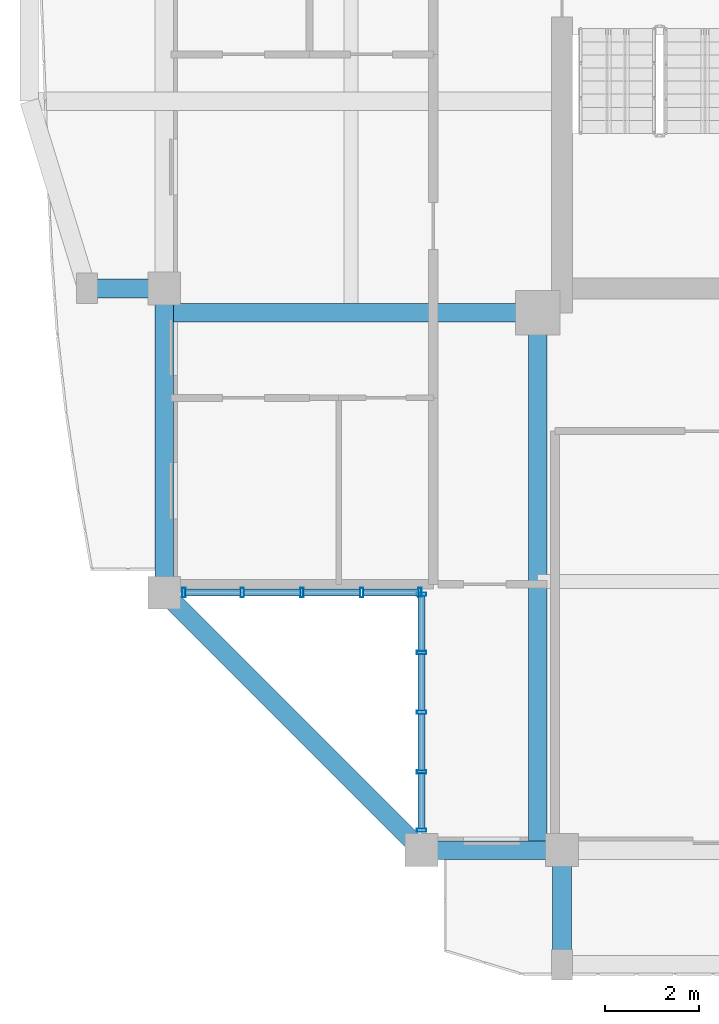
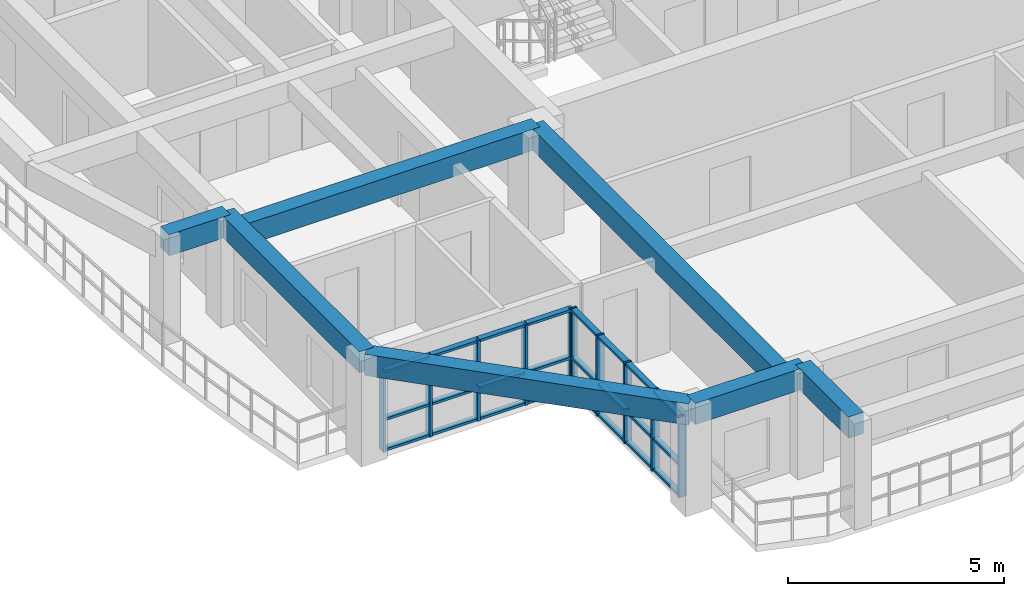
# One storey, part 2 of 24: 34 members, 7 beams, 2 elements without a shape of their own.
"""IFC4 building model written with IfcOpenShell, lengths in metres."""

from ifc_helpers import new_model, si_unit, direction, frame, origin, origin_2d, place, context, subcontext, project, spatial, rectangle, hollow_rectangle, extrude, source, transform, mapped, material, layer, layer_set, material_profile, profile_set, type_object, element, aggregate, save


model = new_model("IFC4")

# Units and contexts
model_context = context("Model", 3, precision=1e-05, world=origin(), true_north=direction((0.0, 1.0)))
body_context = subcontext(model_context, "Body", "Model", "MODEL_VIEW")
ifc_project = project(units=[si_unit("LENGTHUNIT", "METRE"), si_unit("AREAUNIT", "SQUARE_METRE"), si_unit("VOLUMEUNIT", "CUBIC_METRE"), si_unit("PLANEANGLEUNIT", "RADIAN"), si_unit("MASSUNIT", "GRAM", prefix="KILO")], contexts=[model_context])

# Site, building, storey
site_placement = place(None, origin())
site = spatial("IfcSite", under=ifc_project, at=site_placement, CompositionType="ELEMENT")
building_placement = place(site_placement, origin())
building = spatial("IfcBuilding", under=site, at=building_placement, Name="Saelheon Loggia Tower", CompositionType="ELEMENT")
storey_placement = place(building_placement, frame((0.0, 0.0, 246.0)))
storey = spatial("IfcBuildingStorey", under=building, at=storey_placement, Name="L76", CompositionType="ELEMENT", Elevation=246.0)

# Beams
ifc_material_1 = material(Name="Precast Concrete C45/55", Category="concrete")
ifc_material_profile_1 = material_profile(ifc_material_1, rectangle(XDim=0.39990234375, YDim=0.60009765625, at=origin_2d()), Name="RC-400x600")
ifc_profile_set_1 = profile_set([ifc_material_profile_1], Name="Precast Concrete C45/55")
beam_type_1 = type_object("IfcBeamType", Name="Beam_LoggiaTie_RC400x600", PredefinedType="BEAM", material=ifc_profile_set_1)
shared_shape_1 = source(origin(), body_context, "Body", "SweptSolid", [
    extrude(rectangle(XDim=0.39990234375, YDim=0.60009765625, at=origin_2d()), origin(), (0.0, 0.0, 1.0), 2.449951171875),
])
beam_1_placement = place(storey_placement, frame((31.5, 6.0, 2.699951171875), z_axis=(0.0, -1.0, 0.0), x_axis=(1.0, 0.0, 0.0)))
element("IfcBeam", 1, at=beam_1_placement, inside=storey, type_object=beam_type_1, Name="L76 Loggia Frame Tie Beam LP-S1", PredefinedType="BEAM", context=body_context, shape_type="MappedRepresentation", body=[
    mapped(shared_shape_1, transform((0.0, 0.0, 0.0), scale=1.0)),
])
shared_shape_2 = source(origin(), body_context, "Body", "SweptSolid", [
    extrude(rectangle(XDim=0.39990234375, YDim=0.60009765625, at=origin_2d()), origin(), (0.0, 0.0, 1.0), 1.64990234375),
])
beam_2_placement = place(storey_placement, frame((23.0, 18.0, 2.699951171875), z_axis=(-1.0, 0.0, 0.0), x_axis=(0.0, -1.0, 0.0)))
element("IfcBeam", 2, at=beam_2_placement, inside=storey, type_object=beam_type_1, Name="L76 Loggia Frame Tie Beam LP-W1", PredefinedType="BEAM", context=body_context, shape_type="MappedRepresentation", body=[
    mapped(shared_shape_2, transform((0.0, 0.0, 0.0), scale=1.0)),
])
ifc_material_2 = material(Name="Concrete C40/50", Category="concrete")
ifc_material_profile_2 = material_profile(ifc_material_2, rectangle(XDim=0.39990234375, YDim=0.60009765625, at=origin_2d()), Name="RC-400x600")
ifc_profile_set_2 = profile_set([ifc_material_profile_2], Name="Concrete C40/50")
beam_type_2 = type_object("IfcBeamType", Name="Beam_UpperGirder_RC400x600", PredefinedType="BEAM", material=ifc_profile_set_2)
shared_shape_3 = source(origin(), body_context, "Body", "SweptSolid", [
    extrude(rectangle(XDim=0.39990234375, YDim=0.60009765625, at=origin_2d()), origin(), (0.0, 0.0, 1.0), 11.47998046875),
])
beam_3_placement = place(storey_placement, frame((30.97998046875, 17.47998046875, 2.699951171875), z_axis=(0.0, -1.0, 0.0), x_axis=(1.0, 0.0, 0.0)))
element("IfcBeam", 3, at=beam_3_placement, inside=storey, type_object=beam_type_2, Name="L76 Radial Floor Girder RAD-SW-S", PredefinedType="BEAM", context=body_context, shape_type="MappedRepresentation", body=[
    mapped(shared_shape_3, transform((0.0, 0.0, 0.0), scale=1.0)),
])
ifc_material_profile_3 = material_profile(ifc_material_2, rectangle(XDim=0.39990234375, YDim=0.60009765625, at=origin_2d()), Name="RC-400x600")
ifc_profile_set_3 = profile_set([ifc_material_profile_3], Name="Concrete C40/50")
beam_type_3 = type_object("IfcBeamType", Name="Beam_PerimUpper_RC400x600", PredefinedType="BEAM", material=ifc_profile_set_3)
shared_shape_4 = source(origin(), body_context, "Body", "SweptSolid", [
    extrude(rectangle(XDim=0.39990234375, YDim=0.60009765625, at=origin_2d()), origin(), (0.0, 0.0, 1.0), 6.5),
])
beam_4_placement = place(storey_placement, frame((23.0, 18.0, 2.699951171875), z_axis=(0.0, -1.0, 0.0), x_axis=(1.0, 0.0, 0.0)))
element("IfcBeam", 4, at=beam_4_placement, inside=storey, type_object=beam_type_3, Name="L76 Perimeter Frame Girder 15", PredefinedType="BEAM", context=body_context, shape_type="MappedRepresentation", body=[
    mapped(shared_shape_4, transform((0.0, 0.0, 0.0), scale=1.0)),
])
shared_shape_5 = source(origin(), body_context, "Body", "SweptSolid", [
    extrude(rectangle(XDim=0.39990234375, YDim=0.60009765625, at=origin_2d()), origin(), (0.0, 0.0, 1.0), 7.778076171875),
])
beam_5_placement = place(storey_placement, frame((23.0, 11.5, 2.699951171875), z_axis=(0.707106781187, -0.707106781187, 0.0), x_axis=(0.707106781187, 0.707106781187, 0.0)))
element("IfcBeam", 5, at=beam_5_placement, inside=storey, type_object=beam_type_3, Name="L76 Perimeter Frame Girder 16", PredefinedType="BEAM", context=body_context, shape_type="MappedRepresentation", body=[
    mapped(shared_shape_5, transform((0.0, 0.0, 0.0), scale=1.0)),
])
shared_shape_6 = source(origin(), body_context, "Body", "SweptSolid", [
    extrude(rectangle(XDim=0.39990234375, YDim=0.60009765625, at=origin_2d()), origin(), (0.0, 0.0, 1.0), 3.0),
])
beam_6_placement = place(storey_placement, frame((28.5, 6.0, 2.699951171875), z_axis=(1.0, 0.0, 0.0), x_axis=(0.0, 1.0, 0.0)))
element("IfcBeam", 6, at=beam_6_placement, inside=storey, type_object=beam_type_3, Name="L76 Perimeter Frame Girder 01", PredefinedType="BEAM", context=body_context, shape_type="MappedRepresentation", body=[
    mapped(shared_shape_6, transform((0.0, 0.0, 0.0), scale=1.0)),
])
shared_shape_7 = source(origin(), body_context, "Body", "SweptSolid", [
    extrude(rectangle(XDim=0.39990234375, YDim=0.60009765625, at=origin_2d()), origin(), (0.0, 0.0, 1.0), 7.97998046875),
])
beam_7_placement = place(storey_placement, frame((30.97998046875, 17.47998046875, 2.699951171875), z_axis=(-1.0, 0.0, 0.0), x_axis=(0.0, -1.0, 0.0)))
element("IfcBeam", 7, at=beam_7_placement, inside=storey, type_object=beam_type_2, Name="L76 Radial Floor Girder RAD-SW-W", PredefinedType="BEAM", context=body_context, shape_type="MappedRepresentation", body=[
    mapped(shared_shape_7, transform((0.0, 0.0, 0.0), scale=1.0)),
])

# Curtain wall, members
ifc_material_3 = material(Name="High-Wind Aluminium and Triple Laminated Glass", Category="aluminium")
ifc_layer = layer(ifc_material_3, 0.179931640625)
ifc_layer_set = layer_set([ifc_layer], Name="High-Wind Aluminium and Triple Laminated Glass")
curtain_wall_type = type_object("IfcCurtainWallType", Name="CW_TowerLoggiaHigh", PredefinedType="NOTDEFINED", material=ifc_layer_set)
curtain_wall_1_placement = place(storey_placement, origin())
curtain_wall_1 = element("IfcCurtainWall", 8, at=curtain_wall_1_placement, inside=storey, type_object=curtain_wall_type, Name="L76 Corner Notch Glazing SW1", PredefinedType="NOTDEFINED")
ifc_material_4 = material(Name="Anodised Aluminium 6063-T6", Category="aluminium")
ifc_material_profile_4 = material_profile(ifc_material_4, hollow_rectangle(XDim=0.070068359375, YDim=0.199951171875, WallThickness=0.0048828125, at=origin_2d()), Name="RHS-200x70x5")
ifc_profile_set_4 = profile_set([ifc_material_profile_4], Name="Anodised Aluminium 6063-T6")
member_type_1 = type_object("IfcMemberType", Name="CW_TowerLoggiaHigh_Mullion", PredefinedType="MULLION", material=ifc_profile_set_4)
shared_shape_8 = source(origin(), body_context, "Body", "SweptSolid", [
    extrude(hollow_rectangle(XDim=0.070068359375, YDim=0.199951171875, WallThickness=0.0048828125, at=origin_2d()), origin(), (0.0, 0.0, 1.0), 2.280029296875),
])
member_1_placement = place(storey_placement, frame((28.5, 6.425048828125, 0.0), z_axis=(0.0, 0.0, 1.0), x_axis=(0.0, 1.0, 0.0)))
member_1 = element("IfcMember", 9, at=member_1_placement, type_object=member_type_1, Name="CW4 mullion 1", PredefinedType="MULLION", context=body_context, shape_type="MappedRepresentation", body=[
    mapped(shared_shape_8, transform((0.0, 0.0, 0.0), scale=1.0)),
])
member_2_placement = place(storey_placement, frame((28.5, 7.66748046875, 0.0), z_axis=(0.0, 0.0, 1.0), x_axis=(0.0, 1.0, 0.0)))
member_2 = element("IfcMember", 10, at=member_2_placement, type_object=member_type_1, Name="CW4 mullion 2", PredefinedType="MULLION", context=body_context, shape_type="MappedRepresentation", body=[
    mapped(shared_shape_8, transform((0.0, 0.0, 0.0), scale=1.0)),
])
member_3_placement = place(storey_placement, frame((28.5, 8.945068359375, 0.0), z_axis=(0.0, 0.0, 1.0), x_axis=(0.0, 1.0, 0.0)))
member_3 = element("IfcMember", 11, at=member_3_placement, type_object=member_type_1, Name="CW4 mullion 3", PredefinedType="MULLION", context=body_context, shape_type="MappedRepresentation", body=[
    mapped(shared_shape_8, transform((0.0, 0.0, 0.0), scale=1.0)),
])
member_4_placement = place(storey_placement, frame((28.5, 10.222412109375, 0.0), z_axis=(0.0, 0.0, 1.0), x_axis=(0.0, 1.0, 0.0)))
member_4 = element("IfcMember", 12, at=member_4_placement, type_object=member_type_1, Name="CW4 mullion 4", PredefinedType="MULLION", context=body_context, shape_type="MappedRepresentation", body=[
    mapped(shared_shape_8, transform((0.0, 0.0, 0.0), scale=1.0)),
])
member_5_placement = place(storey_placement, frame((28.5, 11.465087890625, 0.0), z_axis=(0.0, 0.0, 1.0), x_axis=(0.0, 1.0, 0.0)))
member_5 = element("IfcMember", 13, at=member_5_placement, type_object=member_type_1, Name="CW4 mullion 5", PredefinedType="MULLION", context=body_context, shape_type="MappedRepresentation", body=[
    mapped(shared_shape_8, transform((0.0, 0.0, 0.0), scale=1.0)),
])

curtain_wall_2_placement = place(storey_placement, origin())
curtain_wall_2 = element("IfcCurtainWall", 14, at=curtain_wall_2_placement, inside=storey, type_object=curtain_wall_type, Name="L76 Corner Notch Glazing SW2", PredefinedType="NOTDEFINED")
member_6_placement = place(storey_placement, frame((23.425048828125, 11.5, 0.0), z_axis=(0.0, 0.0, 1.0), x_axis=(1.0, 0.0, 0.0)))
member_6 = element("IfcMember", 15, at=member_6_placement, type_object=member_type_1, Name="CW4 mullion 1", PredefinedType="MULLION", context=body_context, shape_type="MappedRepresentation", body=[
    mapped(shared_shape_8, transform((0.0, 0.0, 0.0), scale=1.0)),
])
member_7_placement = place(storey_placement, frame((24.66748046875, 11.5, 0.0), z_axis=(0.0, 0.0, 1.0), x_axis=(1.0, 0.0, 0.0)))
member_7 = element("IfcMember", 16, at=member_7_placement, type_object=member_type_1, Name="CW4 mullion 2", PredefinedType="MULLION", context=body_context, shape_type="MappedRepresentation", body=[
    mapped(shared_shape_8, transform((0.0, 0.0, 0.0), scale=1.0)),
])
member_8_placement = place(storey_placement, frame((25.945068359375, 11.5, 0.0), z_axis=(0.0, 0.0, 1.0), x_axis=(1.0, 0.0, 0.0)))
member_8 = element("IfcMember", 17, at=member_8_placement, type_object=member_type_1, Name="CW4 mullion 3", PredefinedType="MULLION", context=body_context, shape_type="MappedRepresentation", body=[
    mapped(shared_shape_8, transform((0.0, 0.0, 0.0), scale=1.0)),
])
member_9_placement = place(storey_placement, frame((27.222412109375, 11.5, 0.0), z_axis=(0.0, 0.0, 1.0), x_axis=(1.0, 0.0, 0.0)))
member_9 = element("IfcMember", 18, at=member_9_placement, type_object=member_type_1, Name="CW4 mullion 4", PredefinedType="MULLION", context=body_context, shape_type="MappedRepresentation", body=[
    mapped(shared_shape_8, transform((0.0, 0.0, 0.0), scale=1.0)),
])
member_10_placement = place(storey_placement, frame((28.465087890625, 11.5, 0.0), z_axis=(0.0, 0.0, 1.0), x_axis=(1.0, 0.0, 0.0)))
member_10 = element("IfcMember", 19, at=member_10_placement, type_object=member_type_1, Name="CW4 mullion 5", PredefinedType="MULLION", context=body_context, shape_type="MappedRepresentation", body=[
    mapped(shared_shape_8, transform((0.0, 0.0, 0.0), scale=1.0)),
])

# Member
ifc_material_profile_5 = material_profile(ifc_material_4, hollow_rectangle(XDim=0.070068359375, YDim=0.14990234375, WallThickness=0.0048828125, at=origin_2d()), Name="RHS-150x70x5")
ifc_profile_set_5 = profile_set([ifc_material_profile_5], Name="Anodised Aluminium 6063-T6")
member_type_2 = type_object("IfcMemberType", Name="CW_TowerLoggiaHigh_Transom", PredefinedType="USERDEFINED", material=ifc_profile_set_5)
shared_shape_9 = source(origin(), body_context, "Body", "SweptSolid", [
    extrude(hollow_rectangle(XDim=0.070068359375, YDim=0.14990234375, WallThickness=0.0048828125, at=origin_2d()), origin(), (0.0, 0.0, 1.0), 1.172607421875),
])
member_11_placement = place(storey_placement, frame((28.5, 6.4599609375, 0.034912109375), z_axis=(0.0, 1.0, 0.0), x_axis=(0.0, 0.0, 1.0)))
member_11 = element("IfcMember", 20, at=member_11_placement, type_object=member_type_2, Name="CW4 transom 1.1", ObjectType="TRANSOM", PredefinedType="USERDEFINED", context=body_context, shape_type="MappedRepresentation", body=[
    mapped(shared_shape_9, transform((0.0, 0.0, 0.0), scale=1.0)),
])

member_12_placement = place(storey_placement, frame((28.5, 6.4599609375, 0.89990234375), z_axis=(0.0, 1.0, 0.0), x_axis=(0.0, 0.0, 1.0)))
member_12 = element("IfcMember", 21, at=member_12_placement, type_object=member_type_2, Name="CW4 transom 1.2", ObjectType="TRANSOM", PredefinedType="USERDEFINED", context=body_context, shape_type="MappedRepresentation", body=[
    mapped(shared_shape_9, transform((0.0, 0.0, 0.0), scale=1.0)),
])

member_13_placement = place(storey_placement, frame((28.5, 6.4599609375, 2.2451171875), z_axis=(0.0, 1.0, 0.0), x_axis=(0.0, 0.0, 1.0)))
member_13 = element("IfcMember", 22, at=member_13_placement, type_object=member_type_2, Name="CW4 transom 1.3", ObjectType="TRANSOM", PredefinedType="USERDEFINED", context=body_context, shape_type="MappedRepresentation", body=[
    mapped(shared_shape_9, transform((0.0, 0.0, 0.0), scale=1.0)),
])

member_14_placement = place(storey_placement, frame((23.4599609375, 11.5, 0.034912109375), z_axis=(1.0, 0.0, 0.0), x_axis=(0.0, 0.0, 1.0)))
member_14 = element("IfcMember", 23, at=member_14_placement, type_object=member_type_2, Name="CW4 transom 1.1", ObjectType="TRANSOM", PredefinedType="USERDEFINED", context=body_context, shape_type="MappedRepresentation", body=[
    mapped(shared_shape_9, transform((0.0, 0.0, 0.0), scale=1.0)),
])

member_15_placement = place(storey_placement, frame((23.4599609375, 11.5, 0.89990234375), z_axis=(1.0, 0.0, 0.0), x_axis=(0.0, 0.0, 1.0)))
member_15 = element("IfcMember", 24, at=member_15_placement, type_object=member_type_2, Name="CW4 transom 1.2", ObjectType="TRANSOM", PredefinedType="USERDEFINED", context=body_context, shape_type="MappedRepresentation", body=[
    mapped(shared_shape_9, transform((0.0, 0.0, 0.0), scale=1.0)),
])

member_16_placement = place(storey_placement, frame((23.4599609375, 11.5, 2.2451171875), z_axis=(1.0, 0.0, 0.0), x_axis=(0.0, 0.0, 1.0)))
member_16 = element("IfcMember", 25, at=member_16_placement, type_object=member_type_2, Name="CW4 transom 1.3", ObjectType="TRANSOM", PredefinedType="USERDEFINED", context=body_context, shape_type="MappedRepresentation", body=[
    mapped(shared_shape_9, transform((0.0, 0.0, 0.0), scale=1.0)),
])

shared_shape_10 = source(origin(), body_context, "Body", "SweptSolid", [
    extrude(hollow_rectangle(XDim=0.070068359375, YDim=0.14990234375, WallThickness=0.0048828125, at=origin_2d()), origin(), (0.0, 0.0, 1.0), 1.20751953125),
])
member_17_placement = place(storey_placement, frame((28.5, 7.702392578125, 0.034912109375), z_axis=(0.0, 1.0, 0.0), x_axis=(0.0, 0.0, 1.0)))
member_17 = element("IfcMember", 26, at=member_17_placement, type_object=member_type_2, Name="CW4 transom 2.1", ObjectType="TRANSOM", PredefinedType="USERDEFINED", context=body_context, shape_type="MappedRepresentation", body=[
    mapped(shared_shape_10, transform((0.0, 0.0, 0.0), scale=1.0)),
])

member_18_placement = place(storey_placement, frame((28.5, 7.702392578125, 0.89990234375), z_axis=(0.0, 1.0, 0.0), x_axis=(0.0, 0.0, 1.0)))
member_18 = element("IfcMember", 27, at=member_18_placement, type_object=member_type_2, Name="CW4 transom 2.2", ObjectType="TRANSOM", PredefinedType="USERDEFINED", context=body_context, shape_type="MappedRepresentation", body=[
    mapped(shared_shape_10, transform((0.0, 0.0, 0.0), scale=1.0)),
])

member_19_placement = place(storey_placement, frame((28.5, 7.702392578125, 2.2451171875), z_axis=(0.0, 1.0, 0.0), x_axis=(0.0, 0.0, 1.0)))
member_19 = element("IfcMember", 28, at=member_19_placement, type_object=member_type_2, Name="CW4 transom 2.3", ObjectType="TRANSOM", PredefinedType="USERDEFINED", context=body_context, shape_type="MappedRepresentation", body=[
    mapped(shared_shape_10, transform((0.0, 0.0, 0.0), scale=1.0)),
])

member_20_placement = place(storey_placement, frame((28.5, 8.97998046875, 0.034912109375), z_axis=(0.0, 1.0, 0.0), x_axis=(0.0, 0.0, 1.0)))
member_20 = element("IfcMember", 29, at=member_20_placement, type_object=member_type_2, Name="CW4 transom 3.1", ObjectType="TRANSOM", PredefinedType="USERDEFINED", context=body_context, shape_type="MappedRepresentation", body=[
    mapped(shared_shape_10, transform((0.0, 0.0, 0.0), scale=1.0)),
])

member_21_placement = place(storey_placement, frame((28.5, 8.97998046875, 0.89990234375), z_axis=(0.0, 1.0, 0.0), x_axis=(0.0, 0.0, 1.0)))
member_21 = element("IfcMember", 30, at=member_21_placement, type_object=member_type_2, Name="CW4 transom 3.2", ObjectType="TRANSOM", PredefinedType="USERDEFINED", context=body_context, shape_type="MappedRepresentation", body=[
    mapped(shared_shape_10, transform((0.0, 0.0, 0.0), scale=1.0)),
])

member_22_placement = place(storey_placement, frame((28.5, 8.97998046875, 2.2451171875), z_axis=(0.0, 1.0, 0.0), x_axis=(0.0, 0.0, 1.0)))
member_22 = element("IfcMember", 31, at=member_22_placement, type_object=member_type_2, Name="CW4 transom 3.3", ObjectType="TRANSOM", PredefinedType="USERDEFINED", context=body_context, shape_type="MappedRepresentation", body=[
    mapped(shared_shape_10, transform((0.0, 0.0, 0.0), scale=1.0)),
])

member_23_placement = place(storey_placement, frame((24.702392578125, 11.5, 0.034912109375), z_axis=(1.0, 0.0, 0.0), x_axis=(0.0, 0.0, 1.0)))
member_23 = element("IfcMember", 32, at=member_23_placement, type_object=member_type_2, Name="CW4 transom 2.1", ObjectType="TRANSOM", PredefinedType="USERDEFINED", context=body_context, shape_type="MappedRepresentation", body=[
    mapped(shared_shape_10, transform((0.0, 0.0, 0.0), scale=1.0)),
])

member_24_placement = place(storey_placement, frame((24.702392578125, 11.5, 0.89990234375), z_axis=(1.0, 0.0, 0.0), x_axis=(0.0, 0.0, 1.0)))
member_24 = element("IfcMember", 33, at=member_24_placement, type_object=member_type_2, Name="CW4 transom 2.2", ObjectType="TRANSOM", PredefinedType="USERDEFINED", context=body_context, shape_type="MappedRepresentation", body=[
    mapped(shared_shape_10, transform((0.0, 0.0, 0.0), scale=1.0)),
])

member_25_placement = place(storey_placement, frame((24.702392578125, 11.5, 2.2451171875), z_axis=(1.0, 0.0, 0.0), x_axis=(0.0, 0.0, 1.0)))
member_25 = element("IfcMember", 34, at=member_25_placement, type_object=member_type_2, Name="CW4 transom 2.3", ObjectType="TRANSOM", PredefinedType="USERDEFINED", context=body_context, shape_type="MappedRepresentation", body=[
    mapped(shared_shape_10, transform((0.0, 0.0, 0.0), scale=1.0)),
])

member_26_placement = place(storey_placement, frame((25.97998046875, 11.5, 0.034912109375), z_axis=(1.0, 0.0, 0.0), x_axis=(0.0, 0.0, 1.0)))
member_26 = element("IfcMember", 35, at=member_26_placement, type_object=member_type_2, Name="CW4 transom 3.1", ObjectType="TRANSOM", PredefinedType="USERDEFINED", context=body_context, shape_type="MappedRepresentation", body=[
    mapped(shared_shape_10, transform((0.0, 0.0, 0.0), scale=1.0)),
])

member_27_placement = place(storey_placement, frame((25.97998046875, 11.5, 0.89990234375), z_axis=(1.0, 0.0, 0.0), x_axis=(0.0, 0.0, 1.0)))
member_27 = element("IfcMember", 36, at=member_27_placement, type_object=member_type_2, Name="CW4 transom 3.2", ObjectType="TRANSOM", PredefinedType="USERDEFINED", context=body_context, shape_type="MappedRepresentation", body=[
    mapped(shared_shape_10, transform((0.0, 0.0, 0.0), scale=1.0)),
])

member_28_placement = place(storey_placement, frame((25.97998046875, 11.5, 2.2451171875), z_axis=(1.0, 0.0, 0.0), x_axis=(0.0, 0.0, 1.0)))
member_28 = element("IfcMember", 37, at=member_28_placement, type_object=member_type_2, Name="CW4 transom 3.3", ObjectType="TRANSOM", PredefinedType="USERDEFINED", context=body_context, shape_type="MappedRepresentation", body=[
    mapped(shared_shape_10, transform((0.0, 0.0, 0.0), scale=1.0)),
])

shared_shape_11 = source(origin(), body_context, "Body", "SweptSolid", [
    extrude(hollow_rectangle(XDim=0.070068359375, YDim=0.14990234375, WallThickness=0.0048828125, at=origin_2d()), origin(), (0.0, 0.0, 1.0), 1.17236328125),
])
member_29_placement = place(storey_placement, frame((28.5, 10.257568359375, 0.034912109375), z_axis=(0.0, 1.0, 0.0), x_axis=(0.0, 0.0, 1.0)))
member_29 = element("IfcMember", 38, at=member_29_placement, type_object=member_type_2, Name="CW4 transom 4.1", ObjectType="TRANSOM", PredefinedType="USERDEFINED", context=body_context, shape_type="MappedRepresentation", body=[
    mapped(shared_shape_11, transform((0.0, 0.0, 0.0), scale=1.0)),
])

member_30_placement = place(storey_placement, frame((28.5, 10.257568359375, 0.89990234375), z_axis=(0.0, 1.0, 0.0), x_axis=(0.0, 0.0, 1.0)))
member_30 = element("IfcMember", 39, at=member_30_placement, type_object=member_type_2, Name="CW4 transom 4.2", ObjectType="TRANSOM", PredefinedType="USERDEFINED", context=body_context, shape_type="MappedRepresentation", body=[
    mapped(shared_shape_11, transform((0.0, 0.0, 0.0), scale=1.0)),
])

member_31_placement = place(storey_placement, frame((28.5, 10.257568359375, 2.2451171875), z_axis=(0.0, 1.0, 0.0), x_axis=(0.0, 0.0, 1.0)))
member_31 = element("IfcMember", 40, at=member_31_placement, type_object=member_type_2, Name="CW4 transom 4.3", ObjectType="TRANSOM", PredefinedType="USERDEFINED", context=body_context, shape_type="MappedRepresentation", body=[
    mapped(shared_shape_11, transform((0.0, 0.0, 0.0), scale=1.0)),
])

aggregate(curtain_wall_1, [member_1, member_2, member_3, member_4, member_5, member_11, member_12, member_13, member_17, member_18, member_19, member_20, member_21, member_22, member_29, member_30, member_31])

member_32_placement = place(storey_placement, frame((27.257568359375, 11.5, 0.034912109375), z_axis=(1.0, 0.0, 0.0), x_axis=(0.0, 0.0, 1.0)))
member_32 = element("IfcMember", 41, at=member_32_placement, type_object=member_type_2, Name="CW4 transom 4.1", ObjectType="TRANSOM", PredefinedType="USERDEFINED", context=body_context, shape_type="MappedRepresentation", body=[
    mapped(shared_shape_11, transform((0.0, 0.0, 0.0), scale=1.0)),
])

member_33_placement = place(storey_placement, frame((27.257568359375, 11.5, 0.89990234375), z_axis=(1.0, 0.0, 0.0), x_axis=(0.0, 0.0, 1.0)))
member_33 = element("IfcMember", 42, at=member_33_placement, type_object=member_type_2, Name="CW4 transom 4.2", ObjectType="TRANSOM", PredefinedType="USERDEFINED", context=body_context, shape_type="MappedRepresentation", body=[
    mapped(shared_shape_11, transform((0.0, 0.0, 0.0), scale=1.0)),
])

member_34_placement = place(storey_placement, frame((27.257568359375, 11.5, 2.2451171875), z_axis=(1.0, 0.0, 0.0), x_axis=(0.0, 0.0, 1.0)))
member_34 = element("IfcMember", 43, at=member_34_placement, type_object=member_type_2, Name="CW4 transom 4.3", ObjectType="TRANSOM", PredefinedType="USERDEFINED", context=body_context, shape_type="MappedRepresentation", body=[
    mapped(shared_shape_11, transform((0.0, 0.0, 0.0), scale=1.0)),
])

aggregate(curtain_wall_2, [member_6, member_7, member_8, member_9, member_10, member_14, member_15, member_16, member_23, member_24, member_25, member_26, member_27, member_28, member_32, member_33, member_34])

save(model, "model.ifc")
